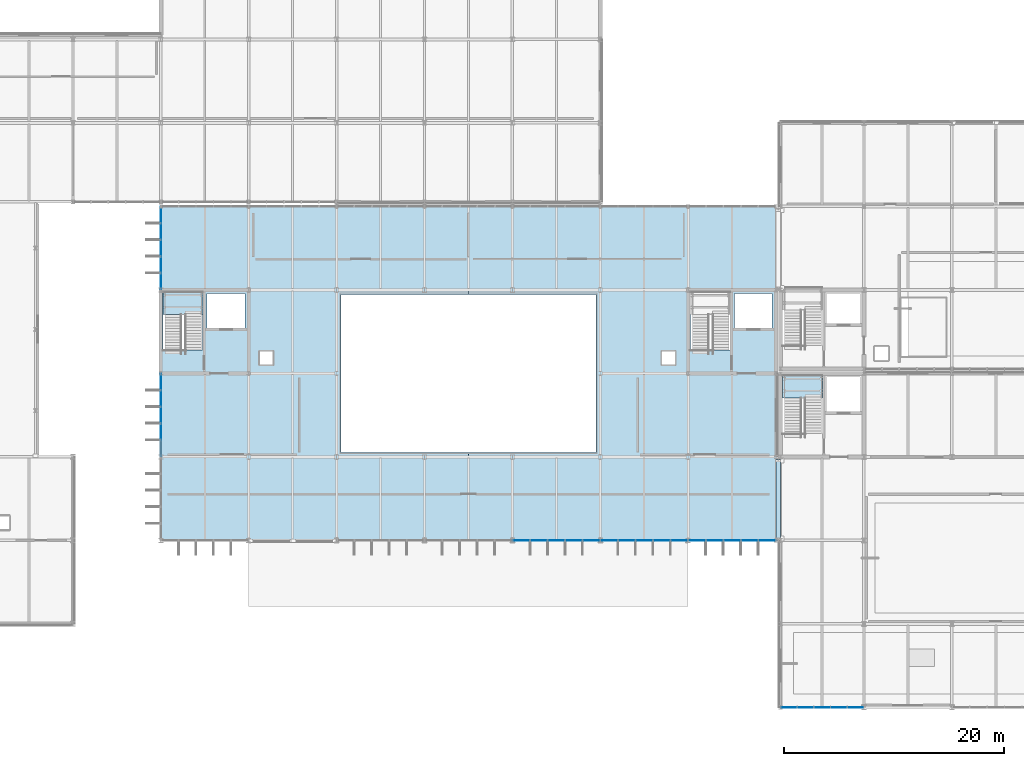
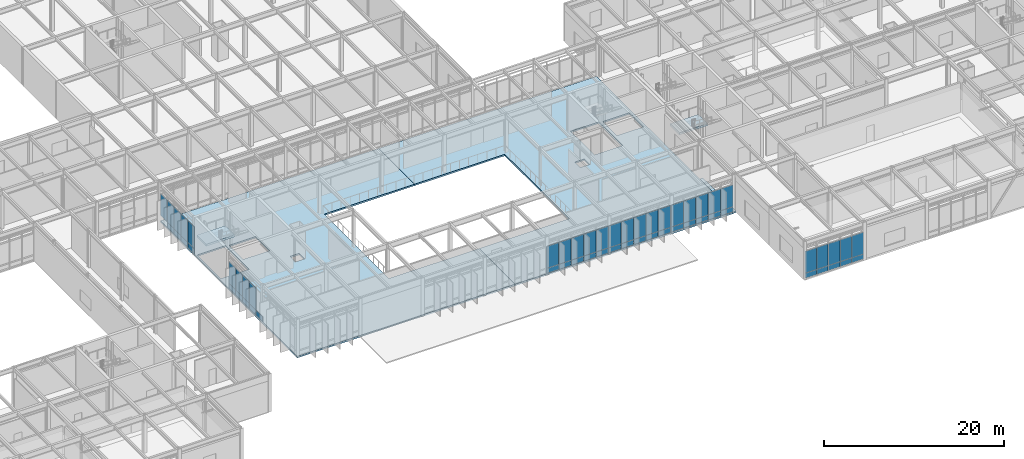
# One storey, part 63 of 94: 58 plates, 5 slabs, 8 elements without a shape of their own.
"""IFC4 building model written with IfcOpenShell, lengths in metres."""

from ifc_helpers import new_model, si_unit, direction, frame, origin, origin_2d, place, context, subcontext, project, spatial, polyline, rectangle, outline, extrude, material, layer, layer_set, type_object, element, aggregate, save


model = new_model("IFC4")

# Units and contexts
model_context = context("Model", 3, precision=1e-05, world=origin(), true_north=direction((0.0, 1.0)))
body_context = subcontext(model_context, "Body", "Model", "MODEL_VIEW")
ifc_project = project(units=[si_unit("LENGTHUNIT", "METRE"), si_unit("AREAUNIT", "SQUARE_METRE"), si_unit("VOLUMEUNIT", "CUBIC_METRE"), si_unit("PLANEANGLEUNIT", "RADIAN"), si_unit("MASSUNIT", "GRAM", prefix="KILO")], contexts=[model_context])

# Site, building, storey
site_placement = place(None, origin())
site = spatial("IfcSite", under=ifc_project, at=site_placement, CompositionType="ELEMENT")
building_placement = place(site_placement, origin())
building = spatial("IfcBuilding", under=site, at=building_placement, Name="Zulena Civic Courthouse", CompositionType="ELEMENT")
storey_placement = place(building_placement, frame((0.0, 0.0, 5.39990234375)))
storey = spatial("IfcBuildingStorey", under=building, at=storey_placement, Name="L01", CompositionType="ELEMENT", Elevation=5.39990234375)

# Slab
ifc_material_1 = material(Name="Concrete C35/45", Category="concrete")
ifc_layer_1 = layer(ifc_material_1, 0.195068359375)
ifc_layer_set_1 = layer_set([ifc_layer_1], Name="Concrete C35/45")
slab_type_1 = type_object("IfcSlabType", Name="BridgeSlab_195", PredefinedType="FLOOR", material=ifc_layer_set_1)
slab_1_placement = place(storey_placement, frame((0.0, 0.0, -0.19482421875)))
element("IfcSlab", 1, at=slab_1_placement, inside=storey, type_object=slab_type_1, Name="slab:bridge:BR-41:L01", PredefinedType="FLOOR", context=body_context, shape_type="SweptSolid", body=[
    extrude(outline(polyline([(124.0, 15.199951171875), (124.39990234375, 15.199951171875), (124.39990234375, 22.60009765625), (124.0, 22.60009765625), (124.0, 15.199951171875)])), origin(), (0.0, 0.0, 1.0), 0.19482421875),
])

# Curtain wall, plates
ifc_material_2 = material(Name="Double-silver low-E laminated solar-control glass", Category="glass")
curtain_wall_type_1 = type_object("IfcCurtainWallType", Name="CW_7552x4280", PredefinedType="USERDEFINED", material=ifc_material_2)
curtain_wall_1_placement = place(storey_placement, origin())
curtain_wall_1 = element("IfcCurtainWall", 2, at=curtain_wall_1_placement, inside=storey, type_object=curtain_wall_type_1, Name="cw:V1:L01:3:5", ObjectType="UNITISED CURTAIN WALL", PredefinedType="USERDEFINED")
ifc_material_3 = material(Name="Ceramic-fritted insulated spandrel glass", Category="glass")
ifc_layer_2 = layer(ifc_material_3, 0.0458984375)
ifc_layer_set_2 = layer_set([ifc_layer_2], Name="Ceramic-fritted insulated spandrel glass")
plate_type_1 = type_object("IfcPlateType", Name="CWPanel_Spandrel_46", PredefinedType="CURTAIN_PANEL", material=ifc_layer_set_2)
plate_1_placement = place(storey_placement, frame((131.220703125, 0.0, 0.070068359375), z_axis=(0.0, 0.0, 1.0), x_axis=(-1.0, 0.0, 0.0)))
plate_1 = element("IfcPlate", 3, at=plate_1_placement, type_object=plate_type_1, Name="cw:V1:L01:3:5:panS:0", PredefinedType="CURTAIN_PANEL", context=body_context, shape_type="SweptSolid", body=[
    extrude(rectangle(XDim=1.4599609375, YDim=0.0458984375, at=origin_2d()), origin(), (0.0, 0.0, 1.0), 0.669921875),
])
plate_2_placement = place(storey_placement, frame((129.71044921875, 0.0, 0.070068359375), z_axis=(0.0, 0.0, 1.0), x_axis=(-1.0, 0.0, 0.0)))
plate_2 = element("IfcPlate", 4, at=plate_2_placement, type_object=plate_type_1, Name="cw:V1:L01:3:5:panS:1", PredefinedType="CURTAIN_PANEL", context=body_context, shape_type="SweptSolid", body=[
    extrude(rectangle(XDim=1.4599609375, YDim=0.0458984375, at=origin_2d()), origin(), (0.0, 0.0, 1.0), 0.669921875),
])
plate_3_placement = place(storey_placement, frame((128.199951171875, 0.0, 0.070068359375), z_axis=(0.0, 0.0, 1.0), x_axis=(-1.0, 0.0, 0.0)))
plate_3 = element("IfcPlate", 5, at=plate_3_placement, type_object=plate_type_1, Name="cw:V1:L01:3:5:panS:2", PredefinedType="CURTAIN_PANEL", context=body_context, shape_type="SweptSolid", body=[
    extrude(rectangle(XDim=1.4599609375, YDim=0.0458984375, at=origin_2d()), origin(), (0.0, 0.0, 1.0), 0.669921875),
])
plate_4_placement = place(storey_placement, frame((126.689697265625, 0.0, 0.070068359375), z_axis=(0.0, 0.0, 1.0), x_axis=(-1.0, 0.0, 0.0)))
plate_4 = element("IfcPlate", 6, at=plate_4_placement, type_object=plate_type_1, Name="cw:V1:L01:3:5:panS:3", PredefinedType="CURTAIN_PANEL", context=body_context, shape_type="SweptSolid", body=[
    extrude(rectangle(XDim=1.4599609375, YDim=0.0458984375, at=origin_2d()), origin(), (0.0, 0.0, 1.0), 0.669921875),
])
plate_5_placement = place(storey_placement, frame((125.17919921875, 0.0, 0.070068359375), z_axis=(0.0, 0.0, 1.0), x_axis=(-1.0, 0.0, 0.0)))
plate_5 = element("IfcPlate", 7, at=plate_5_placement, type_object=plate_type_1, Name="cw:V1:L01:3:5:panS:4", PredefinedType="CURTAIN_PANEL", context=body_context, shape_type="SweptSolid", body=[
    extrude(rectangle(XDim=1.4599609375, YDim=0.0458984375, at=origin_2d()), origin(), (0.0, 0.0, 1.0), 0.669921875),
])

curtain_wall_2_placement = place(storey_placement, origin())
curtain_wall_2 = element("IfcCurtainWall", 8, at=curtain_wall_2_placement, inside=storey, type_object=curtain_wall_type_1, Name="cw:V4:L01:0:1", ObjectType="UNITISED CURTAIN WALL", PredefinedType="USERDEFINED")
plate_6_placement = place(storey_placement, frame((68.0, 23.5791015625, 0.070068359375), z_axis=(0.0, 0.0, 1.0), x_axis=(0.0, 1.0, 0.0)))
plate_6 = element("IfcPlate", 9, at=plate_6_placement, type_object=plate_type_1, Name="cw:V4:L01:0:1:panS:0", PredefinedType="CURTAIN_PANEL", context=body_context, shape_type="SweptSolid", body=[
    extrude(rectangle(XDim=1.4599609375, YDim=0.0458984375, at=origin_2d()), origin(), (0.0, 0.0, 1.0), 0.669921875),
])
plate_7_placement = place(storey_placement, frame((68.0, 25.089599609375, 0.070068359375), z_axis=(0.0, 0.0, 1.0), x_axis=(0.0, 1.0, 0.0)))
plate_7 = element("IfcPlate", 10, at=plate_7_placement, type_object=plate_type_1, Name="cw:V4:L01:0:1:panS:1", PredefinedType="CURTAIN_PANEL", context=body_context, shape_type="SweptSolid", body=[
    extrude(rectangle(XDim=1.4599609375, YDim=0.0458984375, at=origin_2d()), origin(), (0.0, 0.0, 1.0), 0.669921875),
])
plate_8_placement = place(storey_placement, frame((68.0, 26.60009765625, 0.070068359375), z_axis=(0.0, 0.0, 1.0), x_axis=(0.0, 1.0, 0.0)))
plate_8 = element("IfcPlate", 11, at=plate_8_placement, type_object=plate_type_1, Name="cw:V4:L01:0:1:panS:2", PredefinedType="CURTAIN_PANEL", context=body_context, shape_type="SweptSolid", body=[
    extrude(rectangle(XDim=1.4599609375, YDim=0.0458984375, at=origin_2d()), origin(), (0.0, 0.0, 1.0), 0.669921875),
])
plate_9_placement = place(storey_placement, frame((68.0, 28.1103515625, 0.070068359375), z_axis=(0.0, 0.0, 1.0), x_axis=(0.0, 1.0, 0.0)))
plate_9 = element("IfcPlate", 12, at=plate_9_placement, type_object=plate_type_1, Name="cw:V4:L01:0:1:panS:3", PredefinedType="CURTAIN_PANEL", context=body_context, shape_type="SweptSolid", body=[
    extrude(rectangle(XDim=1.4599609375, YDim=0.0458984375, at=origin_2d()), origin(), (0.0, 0.0, 1.0), 0.669921875),
])
plate_10_placement = place(storey_placement, frame((68.0, 29.620849609375, 0.070068359375), z_axis=(0.0, 0.0, 1.0), x_axis=(0.0, 1.0, 0.0)))
plate_10 = element("IfcPlate", 13, at=plate_10_placement, type_object=plate_type_1, Name="cw:V4:L01:0:1:panS:4", PredefinedType="CURTAIN_PANEL", context=body_context, shape_type="SweptSolid", body=[
    extrude(rectangle(XDim=1.4599609375, YDim=0.0458984375, at=origin_2d()), origin(), (0.0, 0.0, 1.0), 0.669921875),
])

curtain_wall_3_placement = place(storey_placement, origin())
curtain_wall_3 = element("IfcCurtainWall", 14, at=curtain_wall_3_placement, inside=storey, type_object=curtain_wall_type_1, Name="cw:V4:L01:0:3", ObjectType="UNITISED CURTAIN WALL", PredefinedType="USERDEFINED")
plate_11_placement = place(storey_placement, frame((68.0, 38.779296875, 0.070068359375), z_axis=(0.0, 0.0, 1.0), x_axis=(0.0, 1.0, 0.0)))
plate_11 = element("IfcPlate", 15, at=plate_11_placement, type_object=plate_type_1, Name="cw:V4:L01:0:3:panS:0", PredefinedType="CURTAIN_PANEL", context=body_context, shape_type="SweptSolid", body=[
    extrude(rectangle(XDim=1.4599609375, YDim=0.0458984375, at=origin_2d()), origin(), (0.0, 0.0, 1.0), 0.669921875),
])
plate_12_placement = place(storey_placement, frame((68.0, 40.28955078125, 0.070068359375), z_axis=(0.0, 0.0, 1.0), x_axis=(0.0, 1.0, 0.0)))
plate_12 = element("IfcPlate", 16, at=plate_12_placement, type_object=plate_type_1, Name="cw:V4:L01:0:3:panS:1", PredefinedType="CURTAIN_PANEL", context=body_context, shape_type="SweptSolid", body=[
    extrude(rectangle(XDim=1.4599609375, YDim=0.0458984375, at=origin_2d()), origin(), (0.0, 0.0, 1.0), 0.669921875),
])
plate_13_placement = place(storey_placement, frame((68.0, 41.800048828125, 0.070068359375), z_axis=(0.0, 0.0, 1.0), x_axis=(0.0, 1.0, 0.0)))
plate_13 = element("IfcPlate", 17, at=plate_13_placement, type_object=plate_type_1, Name="cw:V4:L01:0:3:panS:2", PredefinedType="CURTAIN_PANEL", context=body_context, shape_type="SweptSolid", body=[
    extrude(rectangle(XDim=1.4599609375, YDim=0.0458984375, at=origin_2d()), origin(), (0.0, 0.0, 1.0), 0.669921875),
])
plate_14_placement = place(storey_placement, frame((68.0, 43.310302734375, 0.070068359375), z_axis=(0.0, 0.0, 1.0), x_axis=(0.0, 1.0, 0.0)))
plate_14 = element("IfcPlate", 18, at=plate_14_placement, type_object=plate_type_1, Name="cw:V4:L01:0:3:panS:3", PredefinedType="CURTAIN_PANEL", context=body_context, shape_type="SweptSolid", body=[
    extrude(rectangle(XDim=1.4599609375, YDim=0.0458984375, at=origin_2d()), origin(), (0.0, 0.0, 1.0), 0.669921875),
])

curtain_wall_type_2 = type_object("IfcCurtainWallType", Name="CW_7952x4280", PredefinedType="USERDEFINED", material=ifc_material_2)
curtain_wall_4_placement = place(storey_placement, origin())
curtain_wall_4 = element("IfcCurtainWall", 19, at=curtain_wall_4_placement, inside=storey, type_object=curtain_wall_type_2, Name="cw:V4:L01:3:0", ObjectType="UNITISED CURTAIN WALL", PredefinedType="USERDEFINED")
plate_15_placement = place(storey_placement, frame((123.180908203125, 15.199951171875, 0.070068359375), z_axis=(0.0, 0.0, 1.0), x_axis=(-1.0, 0.0, 0.0)))
plate_15 = element("IfcPlate", 20, at=plate_15_placement, type_object=plate_type_1, Name="cw:V4:L01:3:0:panS:0", PredefinedType="CURTAIN_PANEL", context=body_context, shape_type="SweptSolid", body=[
    extrude(rectangle(XDim=1.5400390625, YDim=0.0458984375, at=origin_2d()), origin(), (0.0, 0.0, 1.0), 0.669921875),
])
plate_16_placement = place(storey_placement, frame((121.59033203125, 15.199951171875, 0.070068359375), z_axis=(0.0, 0.0, 1.0), x_axis=(-1.0, 0.0, 0.0)))
plate_16 = element("IfcPlate", 21, at=plate_16_placement, type_object=plate_type_1, Name="cw:V4:L01:3:0:panS:1", PredefinedType="CURTAIN_PANEL", context=body_context, shape_type="SweptSolid", body=[
    extrude(rectangle(XDim=1.5400390625, YDim=0.0458984375, at=origin_2d()), origin(), (0.0, 0.0, 1.0), 0.669921875),
])
plate_17_placement = place(storey_placement, frame((120.0, 15.199951171875, 0.070068359375), z_axis=(0.0, 0.0, 1.0), x_axis=(-1.0, 0.0, 0.0)))
plate_17 = element("IfcPlate", 22, at=plate_17_placement, type_object=plate_type_1, Name="cw:V4:L01:3:0:panS:2", PredefinedType="CURTAIN_PANEL", context=body_context, shape_type="SweptSolid", body=[
    extrude(rectangle(XDim=1.5400390625, YDim=0.0458984375, at=origin_2d()), origin(), (0.0, 0.0, 1.0), 0.669921875),
])
plate_18_placement = place(storey_placement, frame((118.40966796875, 15.199951171875, 0.070068359375), z_axis=(0.0, 0.0, 1.0), x_axis=(-1.0, 0.0, 0.0)))
plate_18 = element("IfcPlate", 23, at=plate_18_placement, type_object=plate_type_1, Name="cw:V4:L01:3:0:panS:3", PredefinedType="CURTAIN_PANEL", context=body_context, shape_type="SweptSolid", body=[
    extrude(rectangle(XDim=1.5400390625, YDim=0.0458984375, at=origin_2d()), origin(), (0.0, 0.0, 1.0), 0.669921875),
])
plate_19_placement = place(storey_placement, frame((116.819091796875, 15.199951171875, 0.070068359375), z_axis=(0.0, 0.0, 1.0), x_axis=(-1.0, 0.0, 0.0)))
plate_19 = element("IfcPlate", 24, at=plate_19_placement, type_object=plate_type_1, Name="cw:V4:L01:3:0:panS:4", PredefinedType="CURTAIN_PANEL", context=body_context, shape_type="SweptSolid", body=[
    extrude(rectangle(XDim=1.5400390625, YDim=0.0458984375, at=origin_2d()), origin(), (0.0, 0.0, 1.0), 0.669921875),
])

curtain_wall_5_placement = place(storey_placement, origin())
curtain_wall_5 = element("IfcCurtainWall", 25, at=curtain_wall_5_placement, inside=storey, type_object=curtain_wall_type_2, Name="cw:V4:L01:3:1", ObjectType="UNITISED CURTAIN WALL", PredefinedType="USERDEFINED")
plate_20_placement = place(storey_placement, frame((115.180908203125, 15.199951171875, 0.070068359375), z_axis=(0.0, 0.0, 1.0), x_axis=(-1.0, 0.0, 0.0)))
plate_20 = element("IfcPlate", 26, at=plate_20_placement, type_object=plate_type_1, Name="cw:V4:L01:3:1:panS:0", PredefinedType="CURTAIN_PANEL", context=body_context, shape_type="SweptSolid", body=[
    extrude(rectangle(XDim=1.5400390625, YDim=0.0458984375, at=origin_2d()), origin(), (0.0, 0.0, 1.0), 0.669921875),
])
plate_21_placement = place(storey_placement, frame((113.59033203125, 15.199951171875, 0.070068359375), z_axis=(0.0, 0.0, 1.0), x_axis=(-1.0, 0.0, 0.0)))
plate_21 = element("IfcPlate", 27, at=plate_21_placement, type_object=plate_type_1, Name="cw:V4:L01:3:1:panS:1", PredefinedType="CURTAIN_PANEL", context=body_context, shape_type="SweptSolid", body=[
    extrude(rectangle(XDim=1.5400390625, YDim=0.0458984375, at=origin_2d()), origin(), (0.0, 0.0, 1.0), 0.669921875),
])
plate_22_placement = place(storey_placement, frame((112.0, 15.199951171875, 0.070068359375), z_axis=(0.0, 0.0, 1.0), x_axis=(-1.0, 0.0, 0.0)))
plate_22 = element("IfcPlate", 28, at=plate_22_placement, type_object=plate_type_1, Name="cw:V4:L01:3:1:panS:2", PredefinedType="CURTAIN_PANEL", context=body_context, shape_type="SweptSolid", body=[
    extrude(rectangle(XDim=1.5400390625, YDim=0.0458984375, at=origin_2d()), origin(), (0.0, 0.0, 1.0), 0.669921875),
])
plate_23_placement = place(storey_placement, frame((110.40966796875, 15.199951171875, 0.070068359375), z_axis=(0.0, 0.0, 1.0), x_axis=(-1.0, 0.0, 0.0)))
plate_23 = element("IfcPlate", 29, at=plate_23_placement, type_object=plate_type_1, Name="cw:V4:L01:3:1:panS:3", PredefinedType="CURTAIN_PANEL", context=body_context, shape_type="SweptSolid", body=[
    extrude(rectangle(XDim=1.5400390625, YDim=0.0458984375, at=origin_2d()), origin(), (0.0, 0.0, 1.0), 0.669921875),
])
plate_24_placement = place(storey_placement, frame((108.819091796875, 15.199951171875, 0.070068359375), z_axis=(0.0, 0.0, 1.0), x_axis=(-1.0, 0.0, 0.0)))
plate_24 = element("IfcPlate", 30, at=plate_24_placement, type_object=plate_type_1, Name="cw:V4:L01:3:1:panS:4", PredefinedType="CURTAIN_PANEL", context=body_context, shape_type="SweptSolid", body=[
    extrude(rectangle(XDim=1.5400390625, YDim=0.0458984375, at=origin_2d()), origin(), (0.0, 0.0, 1.0), 0.669921875),
])

curtain_wall_6_placement = place(storey_placement, origin())
curtain_wall_6 = element("IfcCurtainWall", 31, at=curtain_wall_6_placement, inside=storey, type_object=curtain_wall_type_2, Name="cw:V4:L01:3:2", ObjectType="UNITISED CURTAIN WALL", PredefinedType="USERDEFINED")
plate_25_placement = place(storey_placement, frame((107.180908203125, 15.199951171875, 0.070068359375), z_axis=(0.0, 0.0, 1.0), x_axis=(-1.0, 0.0, 0.0)))
plate_25 = element("IfcPlate", 32, at=plate_25_placement, type_object=plate_type_1, Name="cw:V4:L01:3:2:panS:0", PredefinedType="CURTAIN_PANEL", context=body_context, shape_type="SweptSolid", body=[
    extrude(rectangle(XDim=1.5400390625, YDim=0.0458984375, at=origin_2d()), origin(), (0.0, 0.0, 1.0), 0.669921875),
])
plate_26_placement = place(storey_placement, frame((105.59033203125, 15.199951171875, 0.070068359375), z_axis=(0.0, 0.0, 1.0), x_axis=(-1.0, 0.0, 0.0)))
plate_26 = element("IfcPlate", 33, at=plate_26_placement, type_object=plate_type_1, Name="cw:V4:L01:3:2:panS:1", PredefinedType="CURTAIN_PANEL", context=body_context, shape_type="SweptSolid", body=[
    extrude(rectangle(XDim=1.5400390625, YDim=0.0458984375, at=origin_2d()), origin(), (0.0, 0.0, 1.0), 0.669921875),
])
plate_27_placement = place(storey_placement, frame((104.0, 15.199951171875, 0.070068359375), z_axis=(0.0, 0.0, 1.0), x_axis=(-1.0, 0.0, 0.0)))
plate_27 = element("IfcPlate", 34, at=plate_27_placement, type_object=plate_type_1, Name="cw:V4:L01:3:2:panS:2", PredefinedType="CURTAIN_PANEL", context=body_context, shape_type="SweptSolid", body=[
    extrude(rectangle(XDim=1.5400390625, YDim=0.0458984375, at=origin_2d()), origin(), (0.0, 0.0, 1.0), 0.669921875),
])
plate_28_placement = place(storey_placement, frame((102.40966796875, 15.199951171875, 0.070068359375), z_axis=(0.0, 0.0, 1.0), x_axis=(-1.0, 0.0, 0.0)))
plate_28 = element("IfcPlate", 35, at=plate_28_placement, type_object=plate_type_1, Name="cw:V4:L01:3:2:panS:3", PredefinedType="CURTAIN_PANEL", context=body_context, shape_type="SweptSolid", body=[
    extrude(rectangle(XDim=1.5400390625, YDim=0.0458984375, at=origin_2d()), origin(), (0.0, 0.0, 1.0), 0.669921875),
])
plate_29_placement = place(storey_placement, frame((100.819091796875, 15.199951171875, 0.070068359375), z_axis=(0.0, 0.0, 1.0), x_axis=(-1.0, 0.0, 0.0)))
plate_29 = element("IfcPlate", 36, at=plate_29_placement, type_object=plate_type_1, Name="cw:V4:L01:3:2:panS:4", PredefinedType="CURTAIN_PANEL", context=body_context, shape_type="SweptSolid", body=[
    extrude(rectangle(XDim=1.5400390625, YDim=0.0458984375, at=origin_2d()), origin(), (0.0, 0.0, 1.0), 0.669921875),
])

# Plate
ifc_layer_3 = layer(ifc_material_2, 0.035888671875)
ifc_layer_set_3 = layer_set([ifc_layer_3], Name="Double-silver low-E laminated solar-control glass")
plate_type_2 = type_object("IfcPlateType", Name="CWPanel_Vision_36", PredefinedType="CURTAIN_PANEL", material=ifc_layer_set_3)
plate_30_placement = place(storey_placement, frame((131.220703125, 0.0, 0.760009765625), z_axis=(0.0, 0.0, 1.0), x_axis=(-1.0, 0.0, 0.0)))
plate_30 = element("IfcPlate", 37, at=plate_30_placement, type_object=plate_type_2, Name="cw:V1:L01:3:5:panV:0", PredefinedType="CURTAIN_PANEL", context=body_context, shape_type="SweptSolid", body=[
    extrude(rectangle(XDim=1.4599609375, YDim=0.035888671875, at=origin_2d()), origin(), (0.0, 0.0, 1.0), 2.9599609375),
])

plate_31_placement = place(storey_placement, frame((129.71044921875, 0.0, 0.760009765625), z_axis=(0.0, 0.0, 1.0), x_axis=(-1.0, 0.0, 0.0)))
plate_31 = element("IfcPlate", 38, at=plate_31_placement, type_object=plate_type_2, Name="cw:V1:L01:3:5:panV:1", PredefinedType="CURTAIN_PANEL", context=body_context, shape_type="SweptSolid", body=[
    extrude(rectangle(XDim=1.4599609375, YDim=0.035888671875, at=origin_2d()), origin(), (0.0, 0.0, 1.0), 2.9599609375),
])

plate_32_placement = place(storey_placement, frame((128.199951171875, 0.0, 0.760009765625), z_axis=(0.0, 0.0, 1.0), x_axis=(-1.0, 0.0, 0.0)))
plate_32 = element("IfcPlate", 39, at=plate_32_placement, type_object=plate_type_2, Name="cw:V1:L01:3:5:panV:2", PredefinedType="CURTAIN_PANEL", context=body_context, shape_type="SweptSolid", body=[
    extrude(rectangle(XDim=1.4599609375, YDim=0.035888671875, at=origin_2d()), origin(), (0.0, 0.0, 1.0), 2.9599609375),
])

plate_33_placement = place(storey_placement, frame((126.689697265625, 0.0, 0.760009765625), z_axis=(0.0, 0.0, 1.0), x_axis=(-1.0, 0.0, 0.0)))
plate_33 = element("IfcPlate", 40, at=plate_33_placement, type_object=plate_type_2, Name="cw:V1:L01:3:5:panV:3", PredefinedType="CURTAIN_PANEL", context=body_context, shape_type="SweptSolid", body=[
    extrude(rectangle(XDim=1.4599609375, YDim=0.035888671875, at=origin_2d()), origin(), (0.0, 0.0, 1.0), 2.9599609375),
])

plate_34_placement = place(storey_placement, frame((125.17919921875, 0.0, 0.760009765625), z_axis=(0.0, 0.0, 1.0), x_axis=(-1.0, 0.0, 0.0)))
plate_34 = element("IfcPlate", 41, at=plate_34_placement, type_object=plate_type_2, Name="cw:V1:L01:3:5:panV:4", PredefinedType="CURTAIN_PANEL", context=body_context, shape_type="SweptSolid", body=[
    extrude(rectangle(XDim=1.4599609375, YDim=0.035888671875, at=origin_2d()), origin(), (0.0, 0.0, 1.0), 2.9599609375),
])

aggregate(curtain_wall_1, [plate_30, plate_1, plate_31, plate_2, plate_32, plate_3, plate_33, plate_4, plate_34, plate_5])

plate_35_placement = place(storey_placement, frame((68.0, 25.089599609375, 0.760009765625), z_axis=(0.0, 0.0, 1.0), x_axis=(0.0, 1.0, 0.0)))
plate_35 = element("IfcPlate", 42, at=plate_35_placement, type_object=plate_type_2, Name="cw:V4:L01:0:1:panV:1", PredefinedType="CURTAIN_PANEL", context=body_context, shape_type="SweptSolid", body=[
    extrude(rectangle(XDim=1.4599609375, YDim=0.035888671875, at=origin_2d()), origin(), (0.0, 0.0, 1.0), 2.9599609375),
])

plate_36_placement = place(storey_placement, frame((68.0, 26.60009765625, 0.760009765625), z_axis=(0.0, 0.0, 1.0), x_axis=(0.0, 1.0, 0.0)))
plate_36 = element("IfcPlate", 43, at=plate_36_placement, type_object=plate_type_2, Name="cw:V4:L01:0:1:panV:2", PredefinedType="CURTAIN_PANEL", context=body_context, shape_type="SweptSolid", body=[
    extrude(rectangle(XDim=1.4599609375, YDim=0.035888671875, at=origin_2d()), origin(), (0.0, 0.0, 1.0), 2.9599609375),
])

plate_37_placement = place(storey_placement, frame((68.0, 28.1103515625, 0.760009765625), z_axis=(0.0, 0.0, 1.0), x_axis=(0.0, 1.0, 0.0)))
plate_37 = element("IfcPlate", 44, at=plate_37_placement, type_object=plate_type_2, Name="cw:V4:L01:0:1:panV:3", PredefinedType="CURTAIN_PANEL", context=body_context, shape_type="SweptSolid", body=[
    extrude(rectangle(XDim=1.4599609375, YDim=0.035888671875, at=origin_2d()), origin(), (0.0, 0.0, 1.0), 2.9599609375),
])

plate_38_placement = place(storey_placement, frame((68.0, 29.620849609375, 0.760009765625), z_axis=(0.0, 0.0, 1.0), x_axis=(0.0, 1.0, 0.0)))
plate_38 = element("IfcPlate", 45, at=plate_38_placement, type_object=plate_type_2, Name="cw:V4:L01:0:1:panV:4", PredefinedType="CURTAIN_PANEL", context=body_context, shape_type="SweptSolid", body=[
    extrude(rectangle(XDim=1.4599609375, YDim=0.035888671875, at=origin_2d()), origin(), (0.0, 0.0, 1.0), 2.9599609375),
])

aggregate(curtain_wall_2, [plate_6, plate_35, plate_7, plate_36, plate_8, plate_37, plate_9, plate_38, plate_10])

plate_39_placement = place(storey_placement, frame((68.0, 38.779296875, 0.760009765625), z_axis=(0.0, 0.0, 1.0), x_axis=(0.0, 1.0, 0.0)))
plate_39 = element("IfcPlate", 46, at=plate_39_placement, type_object=plate_type_2, Name="cw:V4:L01:0:3:panV:0", PredefinedType="CURTAIN_PANEL", context=body_context, shape_type="SweptSolid", body=[
    extrude(rectangle(XDim=1.4599609375, YDim=0.035888671875, at=origin_2d()), origin(), (0.0, 0.0, 1.0), 2.9599609375),
])

plate_40_placement = place(storey_placement, frame((68.0, 40.28955078125, 0.760009765625), z_axis=(0.0, 0.0, 1.0), x_axis=(0.0, 1.0, 0.0)))
plate_40 = element("IfcPlate", 47, at=plate_40_placement, type_object=plate_type_2, Name="cw:V4:L01:0:3:panV:1", PredefinedType="CURTAIN_PANEL", context=body_context, shape_type="SweptSolid", body=[
    extrude(rectangle(XDim=1.4599609375, YDim=0.035888671875, at=origin_2d()), origin(), (0.0, 0.0, 1.0), 2.9599609375),
])

plate_41_placement = place(storey_placement, frame((68.0, 41.800048828125, 0.760009765625), z_axis=(0.0, 0.0, 1.0), x_axis=(0.0, 1.0, 0.0)))
plate_41 = element("IfcPlate", 48, at=plate_41_placement, type_object=plate_type_2, Name="cw:V4:L01:0:3:panV:2", PredefinedType="CURTAIN_PANEL", context=body_context, shape_type="SweptSolid", body=[
    extrude(rectangle(XDim=1.4599609375, YDim=0.035888671875, at=origin_2d()), origin(), (0.0, 0.0, 1.0), 2.9599609375),
])

plate_42_placement = place(storey_placement, frame((68.0, 43.310302734375, 0.760009765625), z_axis=(0.0, 0.0, 1.0), x_axis=(0.0, 1.0, 0.0)))
plate_42 = element("IfcPlate", 49, at=plate_42_placement, type_object=plate_type_2, Name="cw:V4:L01:0:3:panV:3", PredefinedType="CURTAIN_PANEL", context=body_context, shape_type="SweptSolid", body=[
    extrude(rectangle(XDim=1.4599609375, YDim=0.035888671875, at=origin_2d()), origin(), (0.0, 0.0, 1.0), 2.9599609375),
])

plate_43_placement = place(storey_placement, frame((68.0, 44.82080078125, 0.760009765625), z_axis=(0.0, 0.0, 1.0), x_axis=(0.0, 1.0, 0.0)))
plate_43 = element("IfcPlate", 50, at=plate_43_placement, type_object=plate_type_2, Name="cw:V4:L01:0:3:panV:4", PredefinedType="CURTAIN_PANEL", context=body_context, shape_type="SweptSolid", body=[
    extrude(rectangle(XDim=1.4599609375, YDim=0.035888671875, at=origin_2d()), origin(), (0.0, 0.0, 1.0), 2.9599609375),
])

aggregate(curtain_wall_3, [plate_39, plate_11, plate_40, plate_12, plate_41, plate_13, plate_42, plate_14, plate_43])

plate_44_placement = place(storey_placement, frame((123.180908203125, 15.199951171875, 0.760009765625), z_axis=(0.0, 0.0, 1.0), x_axis=(-1.0, 0.0, 0.0)))
plate_44 = element("IfcPlate", 51, at=plate_44_placement, type_object=plate_type_2, Name="cw:V4:L01:3:0:panV:0", PredefinedType="CURTAIN_PANEL", context=body_context, shape_type="SweptSolid", body=[
    extrude(rectangle(XDim=1.5400390625, YDim=0.035888671875, at=origin_2d()), origin(), (0.0, 0.0, 1.0), 2.9599609375),
])

plate_45_placement = place(storey_placement, frame((121.59033203125, 15.199951171875, 0.760009765625), z_axis=(0.0, 0.0, 1.0), x_axis=(-1.0, 0.0, 0.0)))
plate_45 = element("IfcPlate", 52, at=plate_45_placement, type_object=plate_type_2, Name="cw:V4:L01:3:0:panV:1", PredefinedType="CURTAIN_PANEL", context=body_context, shape_type="SweptSolid", body=[
    extrude(rectangle(XDim=1.5400390625, YDim=0.035888671875, at=origin_2d()), origin(), (0.0, 0.0, 1.0), 2.9599609375),
])

plate_46_placement = place(storey_placement, frame((120.0, 15.199951171875, 0.760009765625), z_axis=(0.0, 0.0, 1.0), x_axis=(-1.0, 0.0, 0.0)))
plate_46 = element("IfcPlate", 53, at=plate_46_placement, type_object=plate_type_2, Name="cw:V4:L01:3:0:panV:2", PredefinedType="CURTAIN_PANEL", context=body_context, shape_type="SweptSolid", body=[
    extrude(rectangle(XDim=1.5400390625, YDim=0.035888671875, at=origin_2d()), origin(), (0.0, 0.0, 1.0), 2.9599609375),
])

plate_47_placement = place(storey_placement, frame((118.40966796875, 15.199951171875, 0.760009765625), z_axis=(0.0, 0.0, 1.0), x_axis=(-1.0, 0.0, 0.0)))
plate_47 = element("IfcPlate", 54, at=plate_47_placement, type_object=plate_type_2, Name="cw:V4:L01:3:0:panV:3", PredefinedType="CURTAIN_PANEL", context=body_context, shape_type="SweptSolid", body=[
    extrude(rectangle(XDim=1.5400390625, YDim=0.035888671875, at=origin_2d()), origin(), (0.0, 0.0, 1.0), 2.9599609375),
])

plate_48_placement = place(storey_placement, frame((116.819091796875, 15.199951171875, 0.760009765625), z_axis=(0.0, 0.0, 1.0), x_axis=(-1.0, 0.0, 0.0)))
plate_48 = element("IfcPlate", 55, at=plate_48_placement, type_object=plate_type_2, Name="cw:V4:L01:3:0:panV:4", PredefinedType="CURTAIN_PANEL", context=body_context, shape_type="SweptSolid", body=[
    extrude(rectangle(XDim=1.5400390625, YDim=0.035888671875, at=origin_2d()), origin(), (0.0, 0.0, 1.0), 2.9599609375),
])

aggregate(curtain_wall_4, [plate_44, plate_15, plate_45, plate_16, plate_46, plate_17, plate_47, plate_18, plate_48, plate_19])

plate_49_placement = place(storey_placement, frame((115.180908203125, 15.199951171875, 0.760009765625), z_axis=(0.0, 0.0, 1.0), x_axis=(-1.0, 0.0, 0.0)))
plate_49 = element("IfcPlate", 56, at=plate_49_placement, type_object=plate_type_2, Name="cw:V4:L01:3:1:panV:0", PredefinedType="CURTAIN_PANEL", context=body_context, shape_type="SweptSolid", body=[
    extrude(rectangle(XDim=1.5400390625, YDim=0.035888671875, at=origin_2d()), origin(), (0.0, 0.0, 1.0), 2.9599609375),
])

plate_50_placement = place(storey_placement, frame((113.59033203125, 15.199951171875, 0.760009765625), z_axis=(0.0, 0.0, 1.0), x_axis=(-1.0, 0.0, 0.0)))
plate_50 = element("IfcPlate", 57, at=plate_50_placement, type_object=plate_type_2, Name="cw:V4:L01:3:1:panV:1", PredefinedType="CURTAIN_PANEL", context=body_context, shape_type="SweptSolid", body=[
    extrude(rectangle(XDim=1.5400390625, YDim=0.035888671875, at=origin_2d()), origin(), (0.0, 0.0, 1.0), 2.9599609375),
])

plate_51_placement = place(storey_placement, frame((112.0, 15.199951171875, 0.760009765625), z_axis=(0.0, 0.0, 1.0), x_axis=(-1.0, 0.0, 0.0)))
plate_51 = element("IfcPlate", 58, at=plate_51_placement, type_object=plate_type_2, Name="cw:V4:L01:3:1:panV:2", PredefinedType="CURTAIN_PANEL", context=body_context, shape_type="SweptSolid", body=[
    extrude(rectangle(XDim=1.5400390625, YDim=0.035888671875, at=origin_2d()), origin(), (0.0, 0.0, 1.0), 2.9599609375),
])

plate_52_placement = place(storey_placement, frame((110.40966796875, 15.199951171875, 0.760009765625), z_axis=(0.0, 0.0, 1.0), x_axis=(-1.0, 0.0, 0.0)))
plate_52 = element("IfcPlate", 59, at=plate_52_placement, type_object=plate_type_2, Name="cw:V4:L01:3:1:panV:3", PredefinedType="CURTAIN_PANEL", context=body_context, shape_type="SweptSolid", body=[
    extrude(rectangle(XDim=1.5400390625, YDim=0.035888671875, at=origin_2d()), origin(), (0.0, 0.0, 1.0), 2.9599609375),
])

plate_53_placement = place(storey_placement, frame((108.819091796875, 15.199951171875, 0.760009765625), z_axis=(0.0, 0.0, 1.0), x_axis=(-1.0, 0.0, 0.0)))
plate_53 = element("IfcPlate", 60, at=plate_53_placement, type_object=plate_type_2, Name="cw:V4:L01:3:1:panV:4", PredefinedType="CURTAIN_PANEL", context=body_context, shape_type="SweptSolid", body=[
    extrude(rectangle(XDim=1.5400390625, YDim=0.035888671875, at=origin_2d()), origin(), (0.0, 0.0, 1.0), 2.9599609375),
])

aggregate(curtain_wall_5, [plate_49, plate_20, plate_50, plate_21, plate_51, plate_22, plate_52, plate_23, plate_53, plate_24])

plate_54_placement = place(storey_placement, frame((107.180908203125, 15.199951171875, 0.760009765625), z_axis=(0.0, 0.0, 1.0), x_axis=(-1.0, 0.0, 0.0)))
plate_54 = element("IfcPlate", 61, at=plate_54_placement, type_object=plate_type_2, Name="cw:V4:L01:3:2:panV:0", PredefinedType="CURTAIN_PANEL", context=body_context, shape_type="SweptSolid", body=[
    extrude(rectangle(XDim=1.5400390625, YDim=0.035888671875, at=origin_2d()), origin(), (0.0, 0.0, 1.0), 2.9599609375),
])

plate_55_placement = place(storey_placement, frame((105.59033203125, 15.199951171875, 0.760009765625), z_axis=(0.0, 0.0, 1.0), x_axis=(-1.0, 0.0, 0.0)))
plate_55 = element("IfcPlate", 62, at=plate_55_placement, type_object=plate_type_2, Name="cw:V4:L01:3:2:panV:1", PredefinedType="CURTAIN_PANEL", context=body_context, shape_type="SweptSolid", body=[
    extrude(rectangle(XDim=1.5400390625, YDim=0.035888671875, at=origin_2d()), origin(), (0.0, 0.0, 1.0), 2.9599609375),
])

plate_56_placement = place(storey_placement, frame((104.0, 15.199951171875, 0.760009765625), z_axis=(0.0, 0.0, 1.0), x_axis=(-1.0, 0.0, 0.0)))
plate_56 = element("IfcPlate", 63, at=plate_56_placement, type_object=plate_type_2, Name="cw:V4:L01:3:2:panV:2", PredefinedType="CURTAIN_PANEL", context=body_context, shape_type="SweptSolid", body=[
    extrude(rectangle(XDim=1.5400390625, YDim=0.035888671875, at=origin_2d()), origin(), (0.0, 0.0, 1.0), 2.9599609375),
])

plate_57_placement = place(storey_placement, frame((102.40966796875, 15.199951171875, 0.760009765625), z_axis=(0.0, 0.0, 1.0), x_axis=(-1.0, 0.0, 0.0)))
plate_57 = element("IfcPlate", 64, at=plate_57_placement, type_object=plate_type_2, Name="cw:V4:L01:3:2:panV:3", PredefinedType="CURTAIN_PANEL", context=body_context, shape_type="SweptSolid", body=[
    extrude(rectangle(XDim=1.5400390625, YDim=0.035888671875, at=origin_2d()), origin(), (0.0, 0.0, 1.0), 2.9599609375),
])

plate_58_placement = place(storey_placement, frame((100.819091796875, 15.199951171875, 0.760009765625), z_axis=(0.0, 0.0, 1.0), x_axis=(-1.0, 0.0, 0.0)))
plate_58 = element("IfcPlate", 65, at=plate_58_placement, type_object=plate_type_2, Name="cw:V4:L01:3:2:panV:4", PredefinedType="CURTAIN_PANEL", context=body_context, shape_type="SweptSolid", body=[
    extrude(rectangle(XDim=1.5400390625, YDim=0.035888671875, at=origin_2d()), origin(), (0.0, 0.0, 1.0), 2.9599609375),
])

aggregate(curtain_wall_6, [plate_54, plate_25, plate_55, plate_26, plate_56, plate_27, plate_57, plate_28, plate_58, plate_29])

# Slabs
ifc_layer_4 = layer(ifc_material_1, 0.215087890625)
ifc_layer_set_4 = layer_set([ifc_layer_4], Name="Concrete C35/45")
slab_type_2 = type_object("IfcSlabType", Name="FloorSlab_215", PredefinedType="FLOOR", material=ifc_layer_set_4)
slab_2_placement = place(storey_placement, frame((0.0, 0.0, -0.21484375)))
element("IfcSlab", 66, at=slab_2_placement, inside=storey, type_object=slab_type_2, Name="slab:V4:L01_1", PredefinedType="FLOOR", context=body_context, shape_type="SweptSolid", body=[
    extrude(outline(polyline([(68.0, 15.199951171875), (68.0, 45.60009765625), (96.0, 45.60009765625), (96.0, 37.60009765625), (84.39990234375, 37.60009765625), (84.39990234375, 23.199951171875), (96.0, 23.199951171875), (96.0, 15.199951171875), (68.0, 15.199951171875)]), holes=[polyline([(68.18994140625, 32.52001953125), (71.81005859375, 32.52001953125), (71.81005859375, 37.81005859375), (68.18994140625, 37.81005859375), (68.18994140625, 32.52001953125)]), polyline([(72.199951171875, 37.64990234375), (72.199951171875, 34.5), (75.64990234375, 34.5), (75.64990234375, 37.64990234375), (72.199951171875, 37.64990234375)]), polyline([(77.0, 31.199951171875), (78.199951171875, 31.199951171875), (78.199951171875, 32.39990234375), (77.0, 32.39990234375), (77.0, 31.199951171875)])]), origin(), (0.0, 0.0, 1.0), 0.21484375),
])
slab_3_placement = place(storey_placement, frame((0.0, 0.0, -0.21484375)))
element("IfcSlab", 67, at=slab_3_placement, inside=storey, type_object=slab_type_2, Name="slab:V4:L01_2", PredefinedType="FLOOR", context=body_context, shape_type="SweptSolid", body=[
    extrude(outline(polyline([(96.0, 15.199951171875), (96.0, 23.199951171875), (107.60009765625, 23.199951171875), (107.60009765625, 37.60009765625), (96.0, 37.60009765625), (96.0, 45.60009765625), (124.0, 45.60009765625), (124.0, 15.199951171875), (96.0, 15.199951171875)]), holes=[polyline([(119.81005859375, 37.81005859375), (116.18994140625, 37.81005859375), (116.18994140625, 32.52001953125), (119.81005859375, 32.52001953125), (119.81005859375, 37.81005859375)]), polyline([(123.64990234375, 34.5), (123.64990234375, 37.64990234375), (120.199951171875, 37.64990234375), (120.199951171875, 34.5), (123.64990234375, 34.5)]), polyline([(113.60009765625, 32.39990234375), (113.60009765625, 31.199951171875), (114.800048828125, 31.199951171875), (114.800048828125, 32.39990234375), (113.60009765625, 32.39990234375)])]), origin(), (0.0, 0.0, 1.0), 0.21484375),
])

# Stair, slab
ifc_material_4 = material(Name="Precast concrete C40/50", Category="concrete")
stair_type = type_object("IfcStairType", Name="HalfTurnStair_5400", PredefinedType="HALF_TURN_STAIR", material=ifc_material_4)
stair_1_placement = place(storey_placement, origin())
stair_1 = element("IfcStair", 68, at=stair_1_placement, inside=storey, type_object=stair_type, Name="stair:K1A:L01", PredefinedType="HALF_TURN_STAIR")
ifc_layer_5 = layer(ifc_material_4, 0.280029296875)
ifc_layer_set_5 = layer_set([ifc_layer_5], Name="Precast concrete C40/50")
slab_type_3 = type_object("IfcSlabType", Name="StairLandingSlab_280", PredefinedType="LANDING", material=ifc_layer_set_5)
slab_4_placement = place(storey_placement, frame((0.0, 0.0, 2.420166015625)))
slab_4 = element("IfcSlab", 69, at=slab_4_placement, type_object=slab_type_3, Name="stair:K1A:L01:LND", PredefinedType="LANDING", context=body_context, shape_type="SweptSolid", body=[
    extrude(outline(polyline([(124.580078125, 28.149658203125), (128.219970703125, 28.149658203125), (128.219970703125, 30.219970703125), (124.580078125, 30.219970703125), (124.580078125, 28.149658203125)])), origin(), (0.0, 0.0, 1.0), 0.280029296875),
])
aggregate(stair_1, [slab_4])

stair_2_placement = place(storey_placement, origin())
stair_2 = element("IfcStair", 70, at=stair_2_placement, inside=storey, type_object=stair_type, Name="stair:K4A:L01", PredefinedType="HALF_TURN_STAIR")
slab_5_placement = place(storey_placement, frame((0.0, 0.0, 2.420166015625)))
slab_5 = element("IfcSlab", 71, at=slab_5_placement, type_object=slab_type_3, Name="stair:K4A:L01:LND", PredefinedType="LANDING", context=body_context, shape_type="SweptSolid", body=[
    extrude(outline(polyline([(68.179931640625, 35.74951171875), (71.820068359375, 35.74951171875), (71.820068359375, 37.820068359375), (68.179931640625, 37.820068359375), (68.179931640625, 35.74951171875)])), origin(), (0.0, 0.0, 1.0), 0.280029296875),
])
aggregate(stair_2, [slab_5])

save(model, "model.ifc")
